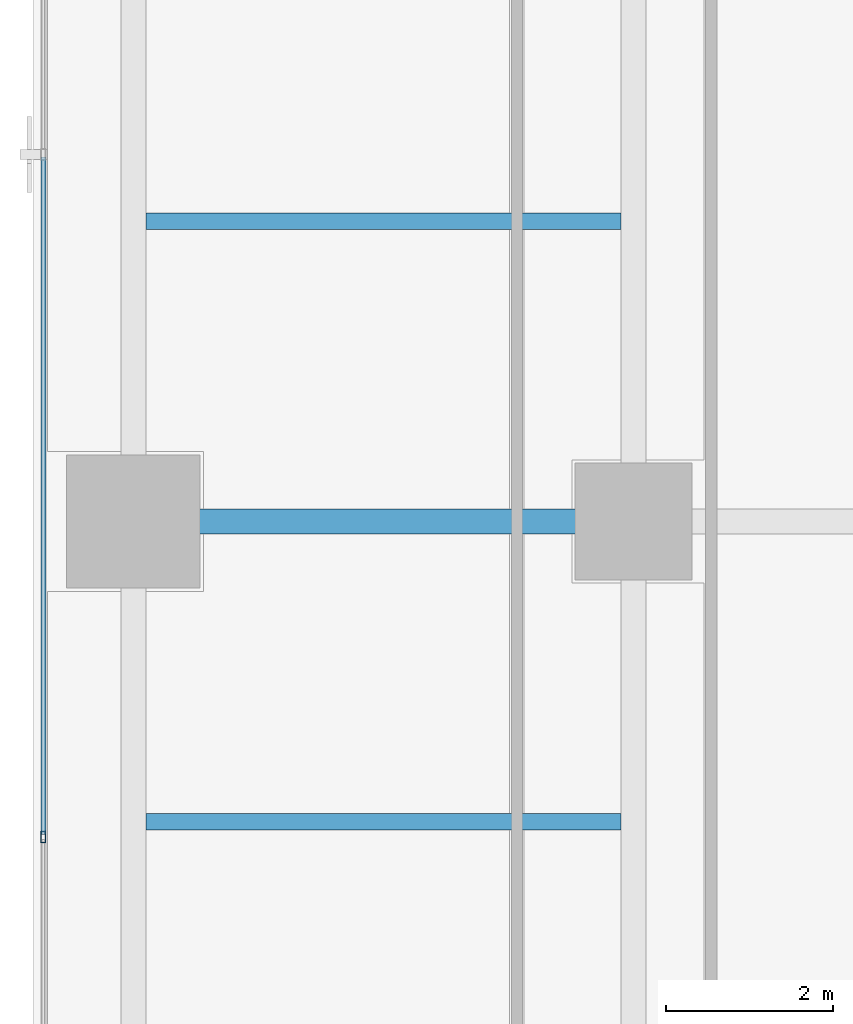
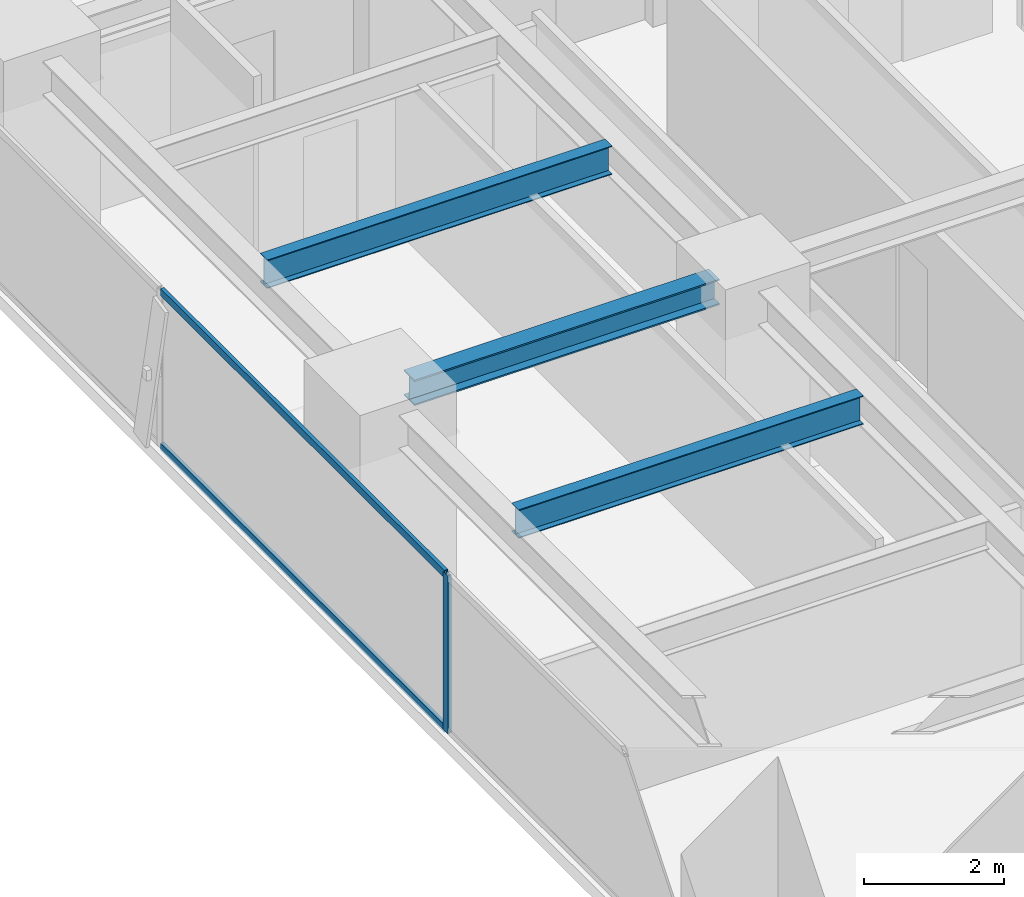
# One storey, part 4 of 29: 3 beams, 3 members, 1 element without a shape of its own.
"""IFC4 building model written with IfcOpenShell, lengths in metres."""

from ifc_helpers import new_model, si_unit, direction, frame, origin, origin_2d, place, context, subcontext, project, spatial, hollow_rectangle, i_section, extrude, source, transform, mapped, material, layer, layer_set, material_profile, profile_set, type_object, element, aggregate, save


model = new_model("IFC4")

# Units and contexts
model_context = context("Model", 3, precision=1e-05, world=origin(), true_north=direction((0.0, 1.0)))
body_context = subcontext(model_context, "Body", "Model", "MODEL_VIEW")
ifc_project = project(units=[si_unit("LENGTHUNIT", "METRE"), si_unit("AREAUNIT", "SQUARE_METRE"), si_unit("VOLUMEUNIT", "CUBIC_METRE"), si_unit("PLANEANGLEUNIT", "RADIAN"), si_unit("MASSUNIT", "GRAM", prefix="KILO")], contexts=[model_context])

# Site, building, storey
site_placement = place(None, origin())
site = spatial("IfcSite", under=ifc_project, at=site_placement, CompositionType="ELEMENT")
building_placement = place(site_placement, origin())
building = spatial("IfcBuilding", under=site, at=building_placement, Name="Sumidabori Civic Tower", CompositionType="ELEMENT")
storey_placement = place(building_placement, frame((0.0, 0.0, 203.60009765625)))
storey = spatial("IfcBuildingStorey", under=building, at=storey_placement, Name="L52", CompositionType="ELEMENT", Elevation=203.60009765625)

# Beams
ifc_material_1 = material(Name="Steel SN490", Category="steel")
ifc_material_profile_1 = material_profile(ifc_material_1, i_section(OverallWidth=0.199951171875, OverallDepth=0.5, WebThickness=0.01025390625, FlangeThickness=0.01611328125, at=origin_2d()), Name="IPE 500")
ifc_profile_set_1 = profile_set([ifc_material_profile_1], Name="Steel SN490")
beam_type_1 = type_object("IfcBeamType", Name="BM-JST-500", PredefinedType="JOIST", material=ifc_profile_set_1)
shared_shape_1 = source(origin(), body_context, "Body", "SweptSolid", [
    extrude(i_section(OverallWidth=0.199951171875, OverallDepth=0.5, WebThickness=0.01025390625, FlangeThickness=0.01611328125, at=origin_2d()), origin(), (0.0, 0.0, 1.0), 5.699951171875),
])
for number, where, z_axis, x_axis, name in (
    (1, (-22.64990234375, -3.60009765625, 3.1298828125), (1.0, 0.0, 0.0), (0.0, 1.0, 0.0), "Outer Bay Floor Joist L52 JSTO-27"),
    (2, (-22.64990234375, 3.60009765625, 3.1298828125), (1.0, 0.0, 0.0), (0.0, 1.0, 0.0), "Outer Bay Floor Joist L52 JSTO-29"),
):
    element("IfcBeam", number, at=place(storey_placement, frame(where, z_axis=z_axis, x_axis=x_axis)), inside=storey, type_object=beam_type_1, Name=name, PredefinedType="JOIST", context=body_context, shape_type="MappedRepresentation", body=[
        mapped(shared_shape_1, transform((0.0, 0.0, 0.0), x_axis=(1.0, 0.0, 0.0), y_axis=(0.0, 1.0, 0.0), z_axis=(0.0, 0.0, 1.0), scale=1.0)),
    ])
ifc_material_profile_2 = material_profile(ifc_material_1, i_section(OverallWidth=0.300048828125, OverallDepth=0.449951171875, WebThickness=0.013916015625, FlangeThickness=0.02587890625, at=origin_2d()), Name="HE 450 B")
ifc_profile_set_2 = profile_set([ifc_material_profile_2], Name="Steel SN490")
beam_type_2 = type_object("IfcBeamType", Name="BM-GIRD-450", PredefinedType="BEAM", material=ifc_profile_set_2)
shared_shape_2 = source(origin(), body_context, "Body", "SweptSolid", [
    extrude(i_section(OverallWidth=0.300048828125, OverallDepth=0.449951171875, WebThickness=0.013916015625, FlangeThickness=0.02587890625, at=origin_2d()), origin(), (0.0, 0.0, 1.0), 5.0400390625),
])
beam_placement = place(storey_placement, frame((-22.320068359375, 0.0, 3.15478515625), z_axis=(1.0, 0.0, 0.0), x_axis=(0.0, 1.0, 0.0)))
element("IfcBeam", 3, at=beam_placement, inside=storey, type_object=beam_type_2, Name="Primary Girder L52 GX-05", PredefinedType="BEAM", context=body_context, shape_type="MappedRepresentation", body=[
    mapped(shared_shape_2, transform((0.0, 0.0, 0.0), x_axis=(1.0, 0.0, 0.0), y_axis=(0.0, 1.0, 0.0), z_axis=(0.0, 0.0, 1.0), scale=1.0)),
])

# Curtain wall, members
ifc_material_2 = material(Name="Anodised Bronze Aluminium AW-6063-T6", Category="aluminium")
ifc_layer = layer(ifc_material_2, 0.179931640625, Name="Anodised Bronze Aluminium AW-6063-T6")
ifc_layer_set = layer_set([ifc_layer], Name="Anodised Bronze Aluminium AW-6063-T6")
curtain_wall_type = type_object("IfcCurtainWallType", Name="CW-SYS-5", PredefinedType="NOTDEFINED", material=ifc_layer_set)
curtain_wall_placement = place(storey_placement, origin())
curtain_wall = element("IfcCurtainWall", 4, at=curtain_wall_placement, inside=storey, type_object=curtain_wall_type, Name="Curtain Wall CW:L52:R16", PredefinedType="NOTDEFINED")
ifc_material_profile_3 = material_profile(ifc_material_2, hollow_rectangle(XDim=0.06005859375, YDim=0.139892578125, WallThickness=0.0048828125, at=origin_2d()), Name="ALU MULLION 140x60")
ifc_profile_set_3 = profile_set([ifc_material_profile_3], Name="Anodised Bronze Aluminium AW-6063-T6")
member_type_1 = type_object("IfcMemberType", Name="CW-MUL-140", PredefinedType="MULLION", material=ifc_profile_set_3)
shared_shape_3 = source(origin(), body_context, "Body", "SweptSolid", [
    extrude(hollow_rectangle(XDim=0.06005859375, YDim=0.139892578125, WallThickness=0.0048828125, at=origin_2d()), origin(), (0.0, 0.0, 1.0), 2.760009765625),
])
member_1_placement = place(storey_placement, frame((-23.8798828125, -3.784912109375, 0.0), z_axis=(0.0, 0.0, 1.0), x_axis=(1.0, 0.0, 0.0)))
member_1 = element("IfcMember", 5, at=member_1_placement, type_object=member_type_1, Name="CW-5 mullion 4", PredefinedType="MULLION", context=body_context, shape_type="MappedRepresentation", body=[
    mapped(shared_shape_3, transform((0.0, 0.0, 0.0), x_axis=(1.0, 0.0, 0.0), y_axis=(0.0, 1.0, 0.0), z_axis=(0.0, 0.0, 1.0), scale=1.0)),
])
ifc_material_profile_4 = material_profile(ifc_material_2, hollow_rectangle(XDim=0.06005859375, YDim=0.1298828125, WallThickness=0.0048828125, at=origin_2d()), Name="ALU TRANSOM 130x60")
ifc_profile_set_4 = profile_set([ifc_material_profile_4], Name="Anodised Bronze Aluminium AW-6063-T6")
member_type_2 = type_object("IfcMemberType", Name="CW-TRN-130", PredefinedType="USERDEFINED", material=ifc_profile_set_4)
shared_shape_4 = source(origin(), body_context, "Body", "SweptSolid", [
    extrude(hollow_rectangle(XDim=0.06005859375, YDim=0.1298828125, WallThickness=0.0048828125, at=origin_2d()), origin(), (0.0, 0.0, 1.0), 8.125),
])
member_2_placement = place(storey_placement, frame((-23.8798828125, 4.3701171875, 0.02978515625), z_axis=(0.0, -1.0, 0.0), x_axis=(1.0, 0.0, 0.0)))
member_2 = element("IfcMember", 6, at=member_2_placement, type_object=member_type_2, Name="CW-5 transom 3.1", ObjectType="TRANSOM", PredefinedType="USERDEFINED", context=body_context, shape_type="MappedRepresentation", body=[
    mapped(shared_shape_4, transform((0.0, 0.0, 0.0), x_axis=(1.0, 0.0, 0.0), y_axis=(0.0, 1.0, 0.0), z_axis=(0.0, 0.0, 1.0), scale=1.0)),
])
member_3_placement = place(storey_placement, frame((-23.8798828125, 4.3701171875, 2.72998046875), z_axis=(0.0, -1.0, 0.0), x_axis=(1.0, 0.0, 0.0)))
member_3 = element("IfcMember", 7, at=member_3_placement, type_object=member_type_2, Name="CW-5 transom 3.2", ObjectType="TRANSOM", PredefinedType="USERDEFINED", context=body_context, shape_type="MappedRepresentation", body=[
    mapped(shared_shape_4, transform((0.0, 0.0, 0.0), x_axis=(1.0, 0.0, 0.0), y_axis=(0.0, 1.0, 0.0), z_axis=(0.0, 0.0, 1.0), scale=1.0)),
])
aggregate(curtain_wall, [member_1, member_2, member_3])

save(model, "model.ifc")
